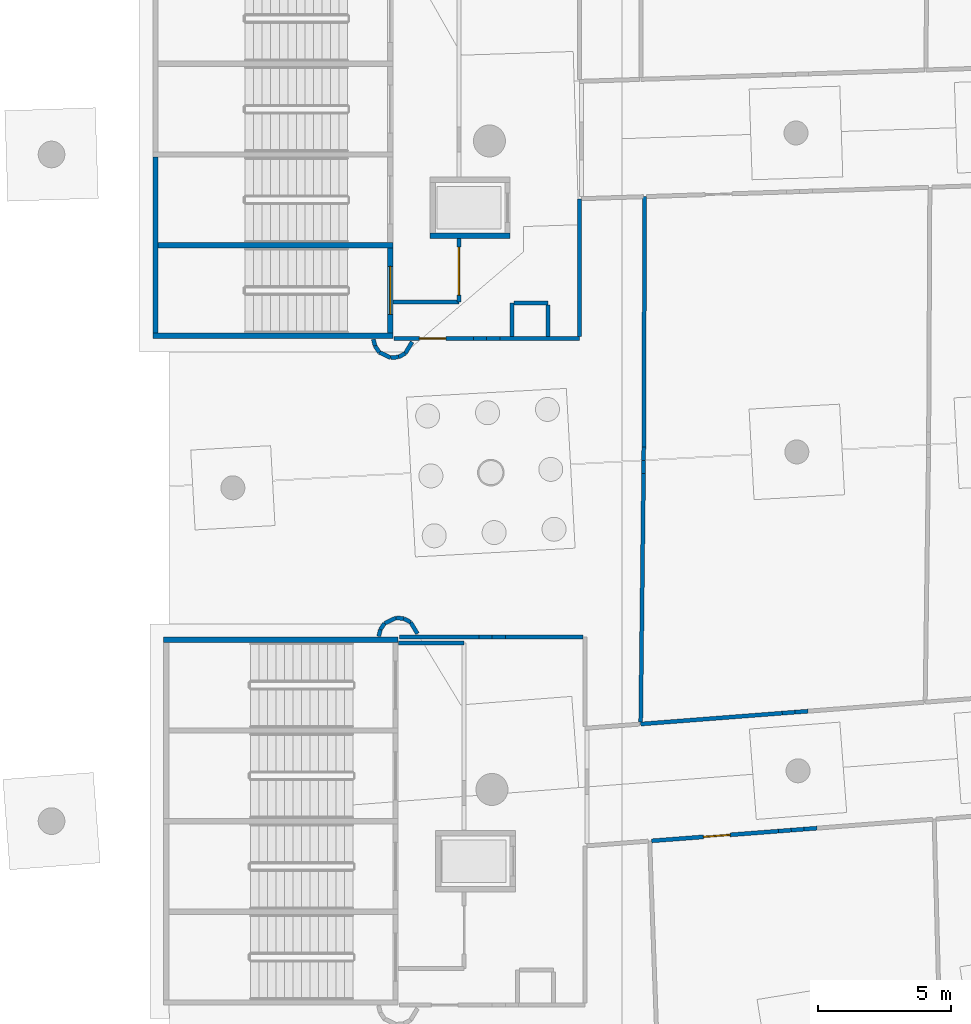
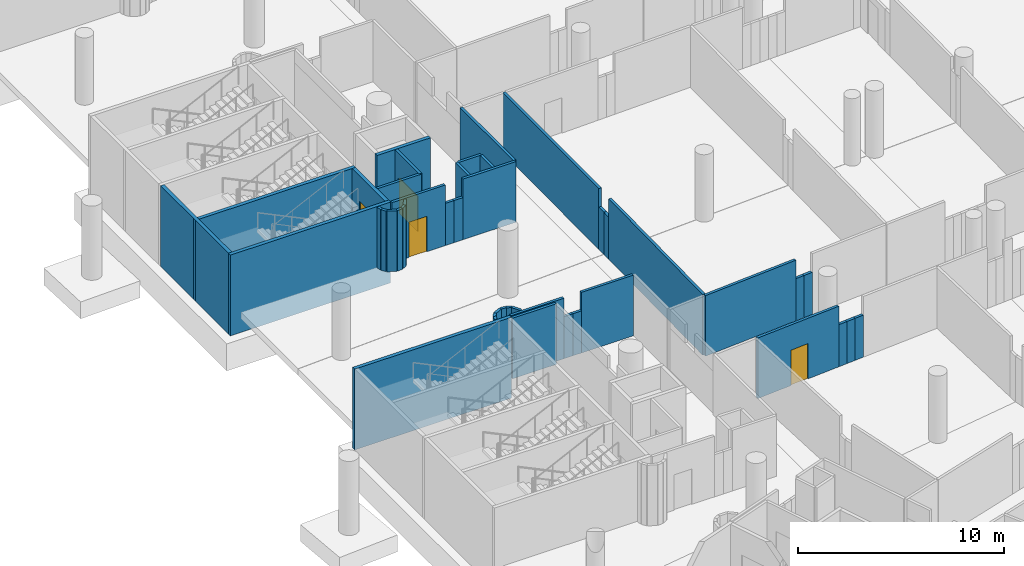
# One storey, part 45 of 142: 44 walls, 4 doors, 4 openings.
"""IFC4 building model written with IfcOpenShell, lengths in metres."""

from ifc_helpers import new_model, si_unit, direction, frame, frame_2d, origin, place, context, subcontext, project, spatial, rectangle, extrude, material, layer, layer_set, type_object, element, fill, save


model = new_model("IFC4")

# Units and contexts
model_context = context("Model", 3, precision=1e-05, world=origin(), true_north=direction((0.0, 1.0)))
body_context = subcontext(model_context, "Body", "Model", "MODEL_VIEW")
ifc_project = project(units=[si_unit("LENGTHUNIT", "METRE"), si_unit("AREAUNIT", "SQUARE_METRE"), si_unit("VOLUMEUNIT", "CUBIC_METRE"), si_unit("PLANEANGLEUNIT", "RADIAN"), si_unit("MASSUNIT", "GRAM", prefix="KILO")], contexts=[model_context])

# Site, building, storey
site_placement = place(None, origin())
site = spatial("IfcSite", under=ifc_project, at=site_placement, CompositionType="ELEMENT")
building_placement = place(site_placement, origin())
building = spatial("IfcBuilding", under=site, at=building_placement, Name="Meseta Stadium", CompositionType="ELEMENT")
storey_placement = place(building_placement, frame((0.0, 0.0, -4.0)))
storey = spatial("IfcBuildingStorey", under=building, at=storey_placement, Name="B1", CompositionType="ELEMENT", Elevation=-4.0)

# Walls
ifc_material_1 = material(Name="Concrete C40/50", Category="concrete")
ifc_layer_1 = layer(ifc_material_1, 0.199951171875)
ifc_layer_set_1 = layer_set([ifc_layer_1], Name="Core divider wall 200")
wall_type_1 = type_object("IfcWallType", Name="Core divider wall 200", PredefinedType="SHEAR", material=ifc_layer_set_1)
wall_1_placement = place(storey_placement, frame((-97.60009765625, -22.14990234375, -1.199951171875), z_axis=(0.0, 0.0, 1.0), x_axis=(1.0, 0.0, 0.0)))
element("IfcWall", 1, at=wall_1_placement, inside=storey, type_object=wall_type_1, Name="Core 18 B1 stair B divider wall", PredefinedType="SHEAR", context=body_context, shape_type="SweptSolid", body=[
    extrude(rectangle(XDim=9.0, YDim=0.199951171875, at=frame_2d((4.5, 0.0))), origin(), (0.0, 0.0, 1.0), 4.800048828125),
])
ifc_material_2 = material(Name="Concrete C40/50", Category="concrete")
ifc_layer_2 = layer(ifc_material_2, 0.199951171875)
ifc_layer_set_2 = layer_set([ifc_layer_2], Name="Core shaft wall 200")
wall_type_2 = type_object("IfcWallType", Name="Core shaft wall 200", PredefinedType="SHEAR", material=ifc_layer_set_2)
wall_2_placement = place(storey_placement, frame((-97.60009765625, -25.550048828125, -1.199951171875), z_axis=(0.0, 0.0, 1.0), x_axis=(1.0, 0.0, 0.0)))
element("IfcWall", 2, at=wall_2_placement, inside=storey, type_object=wall_type_2, Name="Core 18 B1 stair wall B-side", PredefinedType="SHEAR", context=body_context, shape_type="SweptSolid", body=[
    extrude(rectangle(XDim=9.0, YDim=0.199951171875, at=frame_2d((4.5, 0.0))), origin(), (0.0, 0.0, 1.0), 4.800048828125),
])
wall_3_placement = place(storey_placement, frame((-97.5, -18.85009765625, -1.199951171875), z_axis=(0.0, 0.0, 1.0), x_axis=(0.0, -1.0, 0.0)))
element("IfcWall", 3, at=wall_3_placement, inside=storey, type_object=wall_type_2, Name="Core 18 B1 stair B outer end wall", PredefinedType="SHEAR", context=body_context, shape_type="SweptSolid", body=[
    extrude(rectangle(XDim=6.599853515625, YDim=0.199951171875, at=frame_2d((3.2998046875, 0.0))), origin(), (0.0, 0.0, 1.0), 4.800048828125),
])

# Wall, opening, door
wall_4_placement = place(storey_placement, frame((-88.699951171875, -22.25, -1.199951171875), z_axis=(0.0, 0.0, 1.0), x_axis=(0.0, -1.0, 0.0)))
wall_4 = element("IfcWall", 4, at=wall_4_placement, inside=storey, type_object=wall_type_2, Name="Core 18 B1 stair B2 inner end wall", PredefinedType="SHEAR", context=body_context, shape_type="SweptSolid", body=[
    extrude(rectangle(XDim=3.199951171875, YDim=0.199951171875, at=frame_2d((1.60009765625, 0.0))), origin(), (0.0, 0.0, 1.0), 4.800048828125),
])
opening_1_placement = place(wall_4_placement, frame((0.699951171875, 0.0, 1.199951171875)))
opening_1 = element("IfcOpeningElement", 5, at=opening_1_placement, cuts=wall_4, Name="Opening D244", PredefinedType="OPENING", context=body_context, shape_type="SweptSolid", body=[
    extrude(rectangle(XDim=1.800048828125, YDim=2.10009765625, at=frame_2d((0.89990234375, 1.050048828125))), frame((0.0, 0.10986328125, 0.0), z_axis=(0.0, -1.0, 0.0), x_axis=(1.0, 0.0, 0.0)), (0.0, 0.0, 1.0), 0.219970703125),
])
ifc_material_3 = material(Name="Steel", Category="steel")
door_type_1 = type_object("IfcDoorType", Name="Stair door 1800x2100", OperationType="DOUBLE_DOOR_SINGLE_SWING", PredefinedType="DOOR", material=ifc_material_3)
door_1_placement = place(opening_1_placement, origin())
door_1 = element("IfcDoor", 6, at=door_1_placement, inside=storey, type_object=door_type_1, Name="Stair B2 door 18 B1", OperationType="DOUBLE_DOOR_SINGLE_SWING", OverallHeight=2.10009765625, OverallWidth=1.800048828125, PredefinedType="DOOR", context=body_context, shape_type="SweptSolid", body=[
    extrude(rectangle(XDim=1.800048828125, YDim=2.10009765625, at=frame_2d((0.89990234375, 1.050048828125))), frame((0.0, 0.02490234375, 0.0), z_axis=(0.0, -1.0, 0.0), x_axis=(1.0, 0.0, 0.0)), (0.0, 0.0, 1.0), 0.050048828125),
])
fill(opening_1, door_1)

# Walls
wall_5_placement = place(storey_placement, frame((-87.199951171875, -21.800048828125, -1.199951171875), z_axis=(0.0, 0.0, 1.0), x_axis=(1.0, 0.0, 0.0)))
element("IfcWall", 7, at=wall_5_placement, inside=storey, type_object=wall_type_2, Name="Core 18 B1 lift shaft wall right", PredefinedType="SHEAR", context=body_context, shape_type="SweptSolid", body=[
    extrude(rectangle(XDim=3.0, YDim=0.199951171875, at=frame_2d((1.5, 0.0))), origin(), (0.0, 0.0, 1.0), 4.800048828125),
])
wall_6_placement = place(storey_placement, frame((-97.199951171875, -36.949951171875, -1.199951171875), z_axis=(0.0, 0.0, 1.0), x_axis=(1.0, 0.0, 0.0)))
element("IfcWall", 8, at=wall_6_placement, inside=storey, type_object=wall_type_2, Name="Core 19 B1 stair wall A-side", PredefinedType="SHEAR", context=body_context, shape_type="SweptSolid", body=[
    extrude(rectangle(XDim=8.800048828125, YDim=0.199951171875, at=frame_2d((4.39990234375, 0.0))), origin(), (0.0, 0.0, 1.0), 4.800048828125),
])
ifc_material_4 = material(Name="Masonry blockwork", Category="masonry")
ifc_layer_3 = layer(ifc_material_4, 0.14990234375)
ifc_layer_set_3 = layer_set([ifc_layer_3], Name="Partition 150")
wall_type_3 = type_object("IfcWallType", Name="Partition 150", PredefinedType="PARTITIONING", material=ifc_layer_set_3)
for number, where, z_axis, x_axis, name in (
    (9, (-73.031494140625, -39.627197265625, 0.0), (0.0, 0.0, 1.0), (-0.997095873835, -0.076156538669, 0.0), "Partition B1 B1-cell17-2-0"),
    (10, (-73.51416015625, -39.6640625, 0.0), (0.0, 0.0, 1.0), (-0.997057451394, -0.07665793253, 0.0), "Partition B1 B1-cell17-2-0"),
):
    element("IfcWall", number, at=place(storey_placement, frame(where, z_axis=z_axis, x_axis=x_axis)), inside=storey, type_object=wall_type_3, Name=name, PredefinedType="PARTITIONING", context=body_context, shape_type="SweptSolid", body=[
        extrude(rectangle(XDim=0.484130859375, YDim=0.14990234375, at=frame_2d((0.2421875, 0.0))), origin(), (0.0, 0.0, 1.0), 2.5),
    ])
wall_7_placement = place(storey_placement, frame((-73.996826171875, -39.701171875, 0.0), z_axis=(0.0, 0.0, 1.0), x_axis=(-0.997067954952, -0.076521194501, 0.0)))
element("IfcWall", 11, at=wall_7_placement, inside=storey, type_object=wall_type_3, Name="Partition B1 B1-cell17-2-0", PredefinedType="PARTITIONING", context=body_context, shape_type="SweptSolid", body=[
    extrude(rectangle(XDim=5.324951171875, YDim=0.14990234375, at=frame_2d((2.66259765625, 0.0))), origin(), (0.0, 0.0, 1.0), 3.60009765625),
])
wall_8_placement = place(storey_placement, frame((-79.305419921875, -40.033447265625, 0.0), z_axis=(0.0, 0.0, 1.0), x_axis=(0.011498912263, 0.999933885323, 0.0)))
element("IfcWall", 12, at=wall_8_placement, inside=storey, type_object=wall_type_3, Name="Partition B1 B1-cell17-2-0", PredefinedType="PARTITIONING", context=body_context, shape_type="SweptSolid", body=[
    extrude(rectangle(XDim=9.32080078125, YDim=0.14990234375, at=frame_2d((4.660400390625, 0.0))), origin(), (0.0, 0.0, 1.0), 3.60009765625),
])
for number, where, z_axis, x_axis, name in (
    (13, (-79.1982421875, -30.71337890625, 0.0), (0.0, 0.0, 1.0), (0.011357292143, 0.999935503878, 0.0), "Partition B1 B1-cell17-2-0"),
    (14, (-79.192626953125, -30.218994140625, 0.0), (0.0, 0.0, 1.0), (0.00345676947, 0.999994025355, 0.0), "Partition B1 B1-cell17-2-0"),
):
    element("IfcWall", number, at=place(storey_placement, frame(where, z_axis=z_axis, x_axis=x_axis)), inside=storey, type_object=wall_type_3, Name=name, PredefinedType="PARTITIONING", context=body_context, shape_type="SweptSolid", body=[
        extrude(rectangle(XDim=0.494384765625, YDim=0.14990234375, at=frame_2d((0.2470703125, 0.0))), origin(), (0.0, 0.0, 1.0), 2.5),
    ])
wall_9_placement = place(storey_placement, frame((-79.19091796875, -29.724609375, 0.0), z_axis=(0.0, 0.0, 1.0), x_axis=(0.003612711966, 0.999993474135, 0.0)))
element("IfcWall", 15, at=wall_9_placement, inside=storey, type_object=wall_type_3, Name="Partition B1 B1-cell17-2-0", PredefinedType="PARTITIONING", context=body_context, shape_type="SweptSolid", body=[
    extrude(rectangle(XDim=9.393310546875, YDim=0.14990234375, at=frame_2d((4.69677734375, 0.0))), origin(), (0.0, 0.0, 1.0), 3.60009765625),
])

# Wall, opening, door
wall_10_placement = place(storey_placement, frame((-88.56005859375, -25.64990234375, 0.0), z_axis=(0.0, 0.0, 1.0), x_axis=(1.0, 0.0, 0.0)))
wall_10 = element("IfcWall", 16, at=wall_10_placement, inside=storey, type_object=wall_type_3, Name="Partition B1 B1-cell17-3-0", PredefinedType="PARTITIONING", context=body_context, shape_type="SweptSolid", body=[
    extrude(rectangle(XDim=2.98291015625, YDim=0.14990234375, at=frame_2d((1.491455078125, 0.0))), origin(), (0.0, 0.0, 1.0), 3.60009765625),
])
opening_2_placement = place(wall_10_placement, frame((0.949951171875, 0.0, 0.0)))
opening_2 = element("IfcOpeningElement", 17, at=opening_2_placement, cuts=wall_10, Name="Opening D484", PredefinedType="OPENING", context=body_context, shape_type="SweptSolid", body=[
    extrude(rectangle(XDim=1.0, YDim=2.10009765625, at=frame_2d((0.5, 1.050048828125))), frame((0.0, 0.0849609375, 0.0), z_axis=(0.0, -1.0, 0.0), x_axis=(1.0, 0.0, 0.0)), (0.0, 0.0, 1.0), 0.169921875),
])
ifc_material_5 = material(Name="Steel", Category="steel")
door_type_2 = type_object("IfcDoorType", Name="Fire door 1000x2100 EI2 60", OperationType="NOTDEFINED", PredefinedType="DOOR", material=ifc_material_5)
door_2_placement = place(opening_2_placement, origin())
door_2 = element("IfcDoor", 18, at=door_2_placement, inside=storey, type_object=door_type_2, Name="Door D484", OperationType="SINGLE_SWING_RIGHT", OverallHeight=2.10009765625, OverallWidth=1.0, PredefinedType="DOOR", context=body_context, shape_type="SweptSolid", body=[
    extrude(rectangle(XDim=1.0, YDim=2.10009765625, at=frame_2d((0.5, 1.050048828125))), frame((0.0, 0.02490234375, 0.0), z_axis=(0.0, -1.0, 0.0), x_axis=(1.0, 0.0, 0.0)), (0.0, 0.0, 1.0), 0.050048828125),
])
fill(opening_2, door_2)

# Walls
for number, where, z_axis, x_axis, name in (
    (19, (-85.5771484375, -25.64990234375, 0.0), (0.0, 0.0, 1.0), (1.0, 0.0, 0.0), "Partition B1 B1-cell17-3-0"),
    (20, (-85.080078125, -25.64990234375, 0.0), (0.0, 0.0, 1.0), (1.0, 0.0, 0.0), "Partition B1 B1-cell17-3-0"),
):
    element("IfcWall", number, at=place(storey_placement, frame(where, z_axis=z_axis, x_axis=x_axis)), inside=storey, type_object=wall_type_3, Name=name, PredefinedType="PARTITIONING", context=body_context, shape_type="SweptSolid", body=[
        extrude(rectangle(XDim=0.4970703125, YDim=0.14990234375, at=frame_2d((0.24853515625, 0.0))), origin(), (0.0, 0.0, 1.0), 2.5),
    ])
wall_11_placement = place(storey_placement, frame((-84.5830078125, -25.64990234375, 0.0), z_axis=(0.0, 0.0, 1.0), x_axis=(1.0, 0.0, 0.0)))
element("IfcWall", 21, at=wall_11_placement, inside=storey, type_object=wall_type_3, Name="Partition B1 B1-cell17-3-0", PredefinedType="PARTITIONING", context=body_context, shape_type="SweptSolid", body=[
    extrude(rectangle(XDim=2.98291015625, YDim=0.14990234375, at=frame_2d((1.491455078125, 0.0))), origin(), (0.0, 0.0, 1.0), 3.60009765625),
])
wall_12_placement = place(storey_placement, frame((-81.60009765625, -25.574951171875, 0.0), z_axis=(0.0, 0.0, 1.0), x_axis=(0.0, 1.0, 0.0)))
element("IfcWall", 22, at=wall_12_placement, inside=storey, type_object=wall_type_3, Name="Partition B1 B1-cell17-3-0", PredefinedType="PARTITIONING", context=body_context, shape_type="SweptSolid", body=[
    extrude(rectangle(XDim=5.163330078125, YDim=0.14990234375, at=frame_2d((2.58154296875, 0.0))), origin(), (0.0, 0.0, 1.0), 3.60009765625),
])
wall_13_placement = place(storey_placement, frame((-81.47509765625, -36.85009765625, 0.0), z_axis=(0.0, 0.0, 1.0), x_axis=(-1.0, 0.0, 0.0)))
element("IfcWall", 23, at=wall_13_placement, inside=storey, type_object=wall_type_3, Name="Partition B1 B1-cell17-3-0", PredefinedType="PARTITIONING", context=body_context, shape_type="SweptSolid", body=[
    extrude(rectangle(XDim=2.90771484375, YDim=0.14990234375, at=frame_2d((1.453857421875, 0.0))), origin(), (0.0, 0.0, 1.0), 3.60009765625),
])
wall_14_placement = place(storey_placement, frame((-84.3828125, -36.85009765625, 0.0), z_axis=(0.0, 0.0, 1.0), x_axis=(-1.0, 0.0, 0.0)))
element("IfcWall", 24, at=wall_14_placement, inside=storey, type_object=wall_type_3, Name="Partition B1 B1-cell17-3-0", PredefinedType="PARTITIONING", context=body_context, shape_type="SweptSolid", body=[
    extrude(rectangle(XDim=0.4970703125, YDim=0.14990234375, at=frame_2d((0.24853515625, 0.0))), origin(), (0.0, 0.0, 1.0), 2.5),
])
wall_15_placement = place(storey_placement, frame((-84.8798828125, -36.85009765625, 0.0), z_axis=(0.0, 0.0, 1.0), x_axis=(-1.0, 0.0, 0.0)))
element("IfcWall", 25, at=wall_15_placement, inside=storey, type_object=wall_type_3, Name="Partition B1 B1-cell17-3-0", PredefinedType="PARTITIONING", context=body_context, shape_type="SweptSolid", body=[
    extrude(rectangle(XDim=0.497314453125, YDim=0.14990234375, at=frame_2d((0.24853515625, 0.0))), origin(), (0.0, 0.0, 1.0), 2.5),
])
wall_16_placement = place(storey_placement, frame((-85.377197265625, -36.85009765625, 0.0), z_axis=(0.0, 0.0, 1.0), x_axis=(-1.0, 0.0, 0.0)))
element("IfcWall", 26, at=wall_16_placement, inside=storey, type_object=wall_type_3, Name="Partition B1 B1-cell17-3-0", PredefinedType="PARTITIONING", context=body_context, shape_type="SweptSolid", body=[
    extrude(rectangle(XDim=2.98291015625, YDim=0.14990234375, at=frame_2d((1.491455078125, 0.0))), origin(), (0.0, 0.0, 1.0), 3.60009765625),
])

# Wall, opening, door
wall_17_placement = place(storey_placement, frame((-78.89453125, -44.489990234375, 0.0), z_axis=(0.0, 0.0, 1.0), x_axis=(0.997066827754, 0.076535880423, 0.0)))
wall_17 = element("IfcWall", 27, at=wall_17_placement, inside=storey, type_object=wall_type_3, Name="Partition B1 B1-cell18-2-0", PredefinedType="PARTITIONING", context=body_context, shape_type="SweptSolid", body=[
    extrude(rectangle(XDim=4.765625, YDim=0.14990234375, at=frame_2d((2.3828125, 0.0))), origin(), (0.0, 0.0, 1.0), 3.60009765625),
])
opening_3_placement = place(wall_17_placement, frame((1.949951171875, 0.0, 0.0)))
opening_3 = element("IfcOpeningElement", 28, at=opening_3_placement, cuts=wall_17, Name="Opening D486", PredefinedType="OPENING", context=body_context, shape_type="SweptSolid", body=[
    extrude(rectangle(XDim=1.0, YDim=2.10009765625, at=frame_2d((0.5, 1.050048828125))), frame((0.0, 0.0849609375, 0.0), z_axis=(0.0, -1.0, 0.0), x_axis=(1.0, 0.0, 0.0)), (0.0, 0.0, 1.0), 0.169921875),
])
ifc_material_6 = material(Name="Steel", Category="steel")
door_type_3 = type_object("IfcDoorType", Name="Fire door 1000x2100 EI2 120", OperationType="NOTDEFINED", PredefinedType="DOOR", material=ifc_material_6)
door_3_placement = place(opening_3_placement, origin())
door_3 = element("IfcDoor", 29, at=door_3_placement, inside=storey, type_object=door_type_3, Name="Door D486", OperationType="SINGLE_SWING_RIGHT", OverallHeight=2.10009765625, OverallWidth=1.0, PredefinedType="DOOR", context=body_context, shape_type="SweptSolid", body=[
    extrude(rectangle(XDim=1.0, YDim=2.10009765625, at=frame_2d((0.5, 1.050048828125))), frame((0.0, 0.02490234375, 0.0), z_axis=(0.0, -1.0, 0.0), x_axis=(1.0, 0.0, 0.0)), (0.0, 0.0, 1.0), 0.050048828125),
])
fill(opening_3, door_3)

# Walls
for number, where, z_axis, x_axis, name in (
    (30, (-74.142822265625, -44.125244140625, 0.0), (0.0, 0.0, 1.0), (0.997095873835, 0.076156538669, 0.0), "Partition B1 B1-cell18-2-0"),
    (31, (-73.66015625, -44.08837890625, 0.0), (0.0, 0.0, 1.0), (0.997057451394, 0.07665793253, 0.0), "Partition B1 B1-cell18-2-0"),
    (32, (-73.177490234375, -44.05126953125, 0.0), (0.0, 0.0, 1.0), (0.997057451394, 0.07665793253, 0.0), "Partition B1 B1-cell18-2-0"),
):
    element("IfcWall", number, at=place(storey_placement, frame(where, z_axis=z_axis, x_axis=x_axis)), inside=storey, type_object=wall_type_3, Name=name, PredefinedType="PARTITIONING", context=body_context, shape_type="SweptSolid", body=[
        extrude(rectangle(XDim=0.484130859375, YDim=0.14990234375, at=frame_2d((0.2421875, 0.0))), origin(), (0.0, 0.0, 1.0), 2.5),
    ])
wall_18_placement = place(storey_placement, frame((-84.125, -24.324951171875, 0.0), z_axis=(0.0, 0.0, 1.0), x_axis=(0.0, -1.0, 0.0)))
element("IfcWall", 33, at=wall_18_placement, inside=storey, type_object=wall_type_3, Name="Pressurisation shaft wall B1 core 18", PredefinedType="PARTITIONING", context=body_context, shape_type="SweptSolid", body=[
    extrude(rectangle(XDim=1.2490234375, YDim=0.14990234375, at=frame_2d((0.62451171875, 0.0))), origin(), (0.0, 0.0, 1.0), 3.60009765625),
])
wall_19_placement = place(storey_placement, frame((-82.77490234375, -25.573974609375, 0.0), z_axis=(0.0, 0.0, 1.0), x_axis=(0.0, 1.0, 0.0)))
element("IfcWall", 34, at=wall_19_placement, inside=storey, type_object=wall_type_3, Name="Pressurisation shaft wall B1 core 18", PredefinedType="PARTITIONING", context=body_context, shape_type="SweptSolid", body=[
    extrude(rectangle(XDim=1.174072265625, YDim=0.14990234375, at=frame_2d((0.5869140625, 0.0))), origin(), (0.0, 0.0, 1.0), 3.60009765625),
])
wall_20_placement = place(storey_placement, frame((-82.77490234375, -24.324951171875, 0.0), z_axis=(0.0, 0.0, 1.0), x_axis=(-1.0, 0.0, 0.0)))
element("IfcWall", 35, at=wall_20_placement, inside=storey, type_object=wall_type_3, Name="Pressurisation shaft wall B1 core 18", PredefinedType="PARTITIONING", context=body_context, shape_type="SweptSolid", body=[
    extrude(rectangle(XDim=1.275146484375, YDim=0.14990234375, at=frame_2d((0.6376953125, 0.0))), origin(), (0.0, 0.0, 1.0), 3.60009765625),
])
wall_21_placement = place(storey_placement, frame((-88.590087890625, -24.27490234375, 0.0), z_axis=(0.0, 0.0, 1.0), x_axis=(1.0, 0.0, 0.0)))
element("IfcWall", 36, at=wall_21_placement, inside=storey, type_object=wall_type_3, Name="Stair vestibule wall B1 core 18", PredefinedType="PARTITIONING", context=body_context, shape_type="SweptSolid", body=[
    extrude(rectangle(XDim=2.465087890625, YDim=0.14990234375, at=frame_2d((1.232421875, 0.0))), origin(), (0.0, 0.0, 1.0), 3.60009765625),
])

# Wall, opening, door
wall_22_placement = place(storey_placement, frame((-86.125, -24.27490234375, 0.0), z_axis=(0.0, 0.0, 1.0), x_axis=(0.0, 1.0, 0.0)))
wall_22 = element("IfcWall", 37, at=wall_22_placement, inside=storey, type_object=wall_type_3, Name="Stair vestibule wall B1 core 18", PredefinedType="PARTITIONING", context=body_context, shape_type="SweptSolid", body=[
    extrude(rectangle(XDim=2.364990234375, YDim=0.14990234375, at=frame_2d((1.1826171875, 0.0))), origin(), (0.0, 0.0, 1.0), 3.60009765625),
])
opening_4_placement = place(wall_22_placement, frame((0.25, 0.0, 0.0)))
opening_4 = element("IfcOpeningElement", 38, at=opening_4_placement, cuts=wall_22, Name="Opening D732", PredefinedType="OPENING", context=body_context, shape_type="SweptSolid", body=[
    extrude(rectangle(XDim=1.800048828125, YDim=2.10009765625, at=frame_2d((0.89990234375, 1.050048828125))), frame((0.0, 0.0849609375, 0.0), z_axis=(0.0, -1.0, 0.0), x_axis=(1.0, 0.0, 0.0)), (0.0, 0.0, 1.0), 0.169921875),
])
ifc_material_7 = material(Name="Steel", Category="steel")
door_type_4 = type_object("IfcDoorType", Name="Fire double door 1800x2100 EI2 60", OperationType="DOUBLE_DOOR_SINGLE_SWING", PredefinedType="DOOR", material=ifc_material_7)
door_4_placement = place(opening_4_placement, origin())
door_4 = element("IfcDoor", 39, at=door_4_placement, inside=storey, type_object=door_type_4, Name="Stair vestibule door B1 core 18", OperationType="DOUBLE_DOOR_SINGLE_SWING", OverallHeight=2.10009765625, OverallWidth=1.800048828125, PredefinedType="DOOR", context=body_context, shape_type="SweptSolid", body=[
    extrude(rectangle(XDim=1.800048828125, YDim=2.10009765625, at=frame_2d((0.89990234375, 1.050048828125))), frame((0.0, 0.02490234375, 0.0), z_axis=(0.0, -1.0, 0.0), x_axis=(1.0, 0.0, 0.0)), (0.0, 0.0, 1.0), 0.050048828125),
])
fill(opening_4, door_4)

# Walls
wall_23_placement = place(storey_placement, frame((-89.329833984375, -25.678466796875, 0.0), z_axis=(0.0, 0.0, 1.0), x_axis=(0.230253879357, -0.973130593004, 0.0)))
element("IfcWall", 40, at=wall_23_placement, inside=storey, type_object=wall_type_3, Name="Stair vestibule wall B1 core 18", PredefinedType="PARTITIONING", context=body_context, shape_type="SweptSolid", body=[
    extrude(rectangle(XDim=0.257568359375, YDim=0.14990234375, at=frame_2d((0.12890625, 0.0))), origin(), (0.0, 0.0, 1.0), 3.60009765625),
])
wall_24_placement = place(storey_placement, frame((-89.2705078125, -25.92919921875, 0.0), z_axis=(0.0, 0.0, 1.0), x_axis=(0.555678694372, -0.831397130511, 0.0)))
element("IfcWall", 41, at=wall_24_placement, inside=storey, type_object=wall_type_3, Name="Stair vestibule wall B1 core 18", PredefinedType="PARTITIONING", context=body_context, shape_type="SweptSolid", body=[
    extrude(rectangle(XDim=0.287841796875, YDim=0.14990234375, at=frame_2d((0.14404296875, 0.0))), origin(), (0.0, 0.0, 1.0), 3.60009765625),
])
wall_25_placement = place(storey_placement, frame((-89.110595703125, -26.16845703125, 0.0), z_axis=(0.0, 0.0, 1.0), x_axis=(0.90398642908, -0.427561148889, 0.0)))
element("IfcWall", 42, at=wall_25_placement, inside=storey, type_object=wall_type_3, Name="Stair vestibule wall B1 core 18", PredefinedType="PARTITIONING", context=body_context, shape_type="SweptSolid", body=[
    extrude(rectangle(XDim=0.479736328125, YDim=0.14990234375, at=frame_2d((0.23974609375, 0.0))), origin(), (0.0, 0.0, 1.0), 3.60009765625),
])
for number, where, z_axis, x_axis, name in (
    (43, (-88.677001953125, -26.37353515625, 0.0), (0.0, 0.0, 1.0), (0.995194714408, 0.097915680128, 0.0), "Stair vestibule wall B1 core 18"),
    (44, (-88.38916015625, -26.34521484375, 0.0), (0.0, 0.0, 1.0), (0.881768319, 0.471682765858, 0.0), "Stair vestibule wall B1 core 18"),
):
    element("IfcWall", number, at=place(storey_placement, frame(where, z_axis=z_axis, x_axis=x_axis)), inside=storey, type_object=wall_type_3, Name=name, PredefinedType="PARTITIONING", context=body_context, shape_type="SweptSolid", body=[
        extrude(rectangle(XDim=0.289306640625, YDim=0.14990234375, at=frame_2d((0.14453125, 0.0))), origin(), (0.0, 0.0, 1.0), 3.60009765625),
    ])
wall_26_placement = place(storey_placement, frame((-88.134033203125, -26.208740234375, 0.0), z_axis=(0.0, 0.0, 1.0), x_axis=(0.513060623194, 0.858352373404, 0.0)))
element("IfcWall", 45, at=wall_26_placement, inside=storey, type_object=wall_type_3, Name="Stair vestibule wall B1 core 18", PredefinedType="PARTITIONING", context=body_context, shape_type="SweptSolid", body=[
    extrude(rectangle(XDim=0.50048828125, YDim=0.14990234375, at=frame_2d((0.250244140625, 0.0))), origin(), (0.0, 0.0, 1.0), 3.60009765625),
])
wall_27_placement = place(storey_placement, frame((-85.925048828125, -37.074951171875, 0.0), z_axis=(0.0, 0.0, 1.0), x_axis=(-1.0, 0.0, 0.0)))
element("IfcWall", 46, at=wall_27_placement, inside=storey, type_object=wall_type_3, Name="Stair vestibule wall B1 core 19", PredefinedType="PARTITIONING", context=body_context, shape_type="SweptSolid", body=[
    extrude(rectangle(XDim=2.46484375, YDim=0.14990234375, at=frame_2d((1.232421875, 0.0))), origin(), (0.0, 0.0, 1.0), 3.60009765625),
])
wall_28_placement = place(storey_placement, frame((-87.67724609375, -36.720947265625, 0.0), z_axis=(0.0, 0.0, 1.0), x_axis=(-0.513060623194, 0.858352373404, 0.0)))
element("IfcWall", 47, at=wall_28_placement, inside=storey, type_object=wall_type_3, Name="Stair vestibule wall B1 core 19", PredefinedType="PARTITIONING", context=body_context, shape_type="SweptSolid", body=[
    extrude(rectangle(XDim=0.50048828125, YDim=0.14990234375, at=frame_2d((0.250244140625, 0.0))), origin(), (0.0, 0.0, 1.0), 3.60009765625),
])
for number, where, z_axis, x_axis, name in (
    (48, (-87.93408203125, -36.291259765625, 0.0), (0.0, 0.0, 1.0), (-0.881768319, 0.471682765858, 0.0), "Stair vestibule wall B1 core 19"),
    (49, (-88.189208984375, -36.15478515625, 0.0), (0.0, 0.0, 1.0), (-0.995194714408, 0.097915680128, 0.0), "Stair vestibule wall B1 core 19"),
):
    element("IfcWall", number, at=place(storey_placement, frame(where, z_axis=z_axis, x_axis=x_axis)), inside=storey, type_object=wall_type_3, Name=name, PredefinedType="PARTITIONING", context=body_context, shape_type="SweptSolid", body=[
        extrude(rectangle(XDim=0.289306640625, YDim=0.14990234375, at=frame_2d((0.14453125, 0.0))), origin(), (0.0, 0.0, 1.0), 3.60009765625),
    ])
wall_29_placement = place(storey_placement, frame((-88.47705078125, -36.12646484375, 0.0), z_axis=(0.0, 0.0, 1.0), x_axis=(-0.903893315025, -0.427757963167, 0.0)))
element("IfcWall", 50, at=wall_29_placement, inside=storey, type_object=wall_type_3, Name="Stair vestibule wall B1 core 19", PredefinedType="PARTITIONING", context=body_context, shape_type="SweptSolid", body=[
    extrude(rectangle(XDim=0.4794921875, YDim=0.14990234375, at=frame_2d((0.23974609375, 0.0))), origin(), (0.0, 0.0, 1.0), 3.60009765625),
])
wall_30_placement = place(storey_placement, frame((-88.910400390625, -36.33154296875, 0.0), z_axis=(0.0, 0.0, 1.0), x_axis=(-0.555678694372, -0.831397130511, 0.0)))
element("IfcWall", 51, at=wall_30_placement, inside=storey, type_object=wall_type_3, Name="Stair vestibule wall B1 core 19", PredefinedType="PARTITIONING", context=body_context, shape_type="SweptSolid", body=[
    extrude(rectangle(XDim=0.287841796875, YDim=0.14990234375, at=frame_2d((0.14404296875, 0.0))), origin(), (0.0, 0.0, 1.0), 3.60009765625),
])
wall_31_placement = place(storey_placement, frame((-89.0703125, -36.57080078125, 0.0), z_axis=(0.0, 0.0, 1.0), x_axis=(-0.231150896285, -0.972917911823, 0.0)))
element("IfcWall", 52, at=wall_31_placement, inside=storey, type_object=wall_type_3, Name="Stair vestibule wall B1 core 19", PredefinedType="PARTITIONING", context=body_context, shape_type="SweptSolid", body=[
    extrude(rectangle(XDim=0.2578125, YDim=0.14990234375, at=frame_2d((0.12890625, 0.0))), origin(), (0.0, 0.0, 1.0), 3.60009765625),
])

save(model, "model.ifc")
